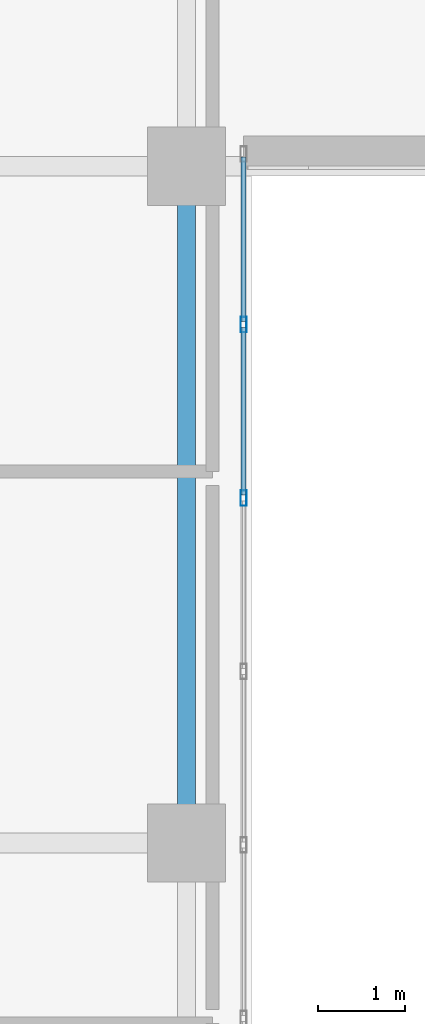
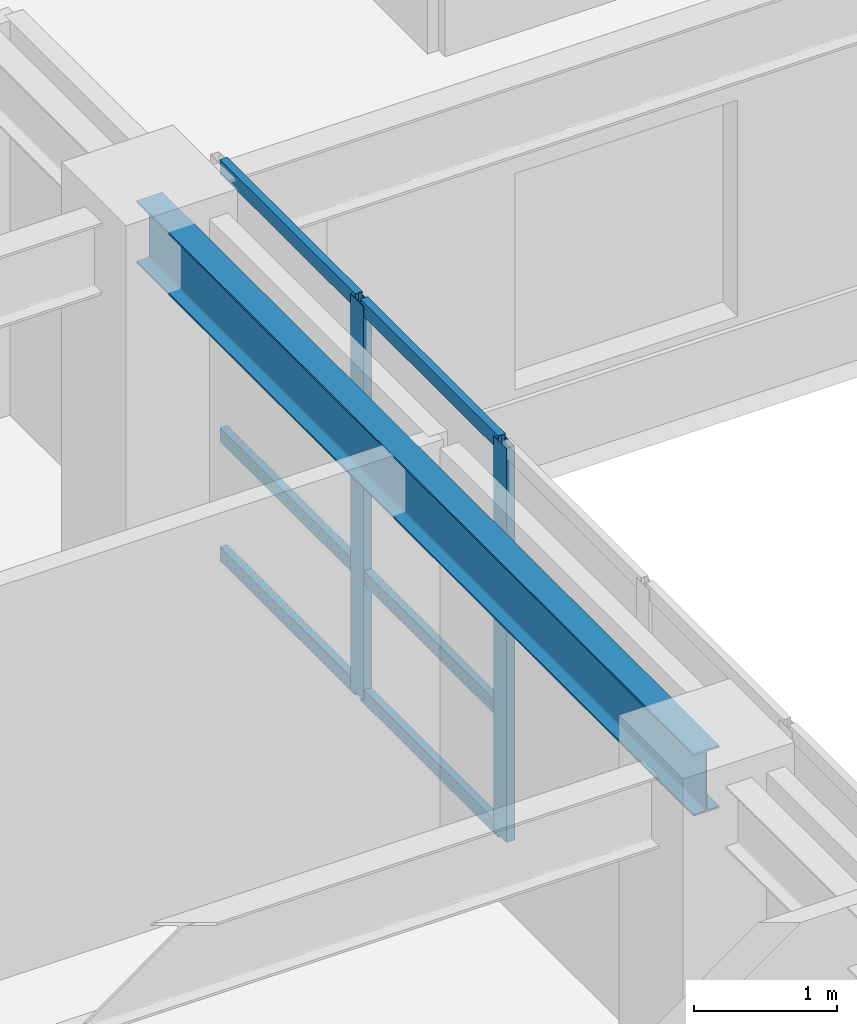
# One storey, part 7 of 37: 8 members, 1 beam, 1 element without a shape of its own.
"""IFC4 building model written with IfcOpenShell, lengths in metres."""

from ifc_helpers import new_model, si_unit, direction, frame, origin, origin_2d, place, context, subcontext, project, spatial, hollow_rectangle, i_section, extrude, source, transform, mapped, material, layer, layer_set, material_profile, profile_set, type_object, type_shapes, element, aggregate, save


model = new_model("IFC4")

# Units and contexts
model_context = context("Model", 3, precision=1e-05, world=origin(), true_north=direction((0.0, 1.0)))
body_context = subcontext(model_context, "Body", "Model", "MODEL_VIEW")
ifc_project = project(units=[si_unit("LENGTHUNIT", "METRE"), si_unit("AREAUNIT", "SQUARE_METRE"), si_unit("VOLUMEUNIT", "CUBIC_METRE"), si_unit("PLANEANGLEUNIT", "RADIAN"), si_unit("MASSUNIT", "GRAM", prefix="KILO")], contexts=[model_context])

# Site, building, storey
site_placement = place(None, origin())
site = spatial("IfcSite", under=ifc_project, at=site_placement, CompositionType="ELEMENT")
building_placement = place(site_placement, origin())
building = spatial("IfcBuilding", under=site, at=building_placement, Name="Tolvann Quenvar Hotel", CompositionType="ELEMENT")
storey_placement = place(building_placement, frame((0.0, 0.0, 104.449951171875)))
storey = spatial("IfcBuildingStorey", under=building, at=storey_placement, Name="L26", CompositionType="ELEMENT", Elevation=104.449951171875)

# Beam
ifc_material_1 = material(Name="Steel Grade 350", Category="steel")
ifc_material_profile_1 = material_profile(ifc_material_1, i_section(OverallWidth=0.208984375, OverallDepth=0.532958984375, WebThickness=0.01025390625, FlangeThickness=0.015625, FilletRadius=0.013916015625, at=origin_2d()), Name="530UB92")
ifc_profile_set_1 = profile_set([ifc_material_profile_1], Name="Steel Grade 350")
beam_type = type_object("IfcBeamType", Name="BM_GIRD_530UB92", PredefinedType="BEAM", material=ifc_profile_set_1)
shared_shape_1 = source(origin(), body_context, "Body", "SweptSolid", [
    extrude(i_section(OverallWidth=0.208984375, OverallDepth=0.532958984375, WebThickness=0.01025390625, FlangeThickness=0.015625, FilletRadius=0.013916015625, at=origin_2d()), origin(), (0.0, 0.0, 1.0), 7.800048828125),
])
type_shapes(beam_type, [shared_shape_1])
beam_placement = place(storey_placement, frame((22.050048828125, 8.199951171875, 3.103515625), z_axis=(0.0, 1.0, 0.0), x_axis=(-1.0, 0.0, 0.0)))
element("IfcBeam", 1, at=beam_placement, inside=storey, type_object=beam_type, Name="BM-L26-NS-E3-E4", PredefinedType="BEAM", context=body_context, shape_type="MappedRepresentation", body=[
    mapped(shared_shape_1, transform((0.0, 0.0, 0.0), x_axis=(1.0, 0.0, 0.0), y_axis=(0.0, 1.0, 0.0), z_axis=(0.0, 0.0, 1.0), scale=1.0)),
])

# Curtain wall, members
ifc_material_2 = material(Name="Thermally broken anodised architectural aluminium 6063-T6 and laminated low-E glass", Category="aluminium")
ifc_layer = layer(ifc_material_2, 0.179931640625)
ifc_layer_set = layer_set([ifc_layer], Name="Thermally broken anodised architectural aluminium 6063-T6 and laminated low-E glass")
curtain_wall_type = type_object("IfcCurtainWallType", Name="CW_SYS_SLOT_03", PredefinedType="USERDEFINED", material=ifc_layer_set)
curtain_wall_placement = place(storey_placement, origin())
curtain_wall = element("IfcCurtainWall", 2, at=curtain_wall_placement, inside=storey, type_object=curtain_wall_type, Name="Curtain Wall CW-SLOT-03 (CWR-L26-E05)", ObjectType="UNITISED CURTAIN WALL", PredefinedType="USERDEFINED")
ifc_material_3 = material(Name="Anodised architectural aluminium 6063-T6 framing", Category="aluminium")
ifc_material_profile_2 = material_profile(ifc_material_3, hollow_rectangle(XDim=0.070068359375, YDim=0.179931640625, WallThickness=0.00390625, at=origin_2d()), Name="180x70x4RHS")
ifc_profile_set_2 = profile_set([ifc_material_profile_2], Name="Anodised architectural aluminium 6063-T6 framing")
member_type_1 = type_object("IfcMemberType", Name="CW_MULL_180x70", PredefinedType="MULLION", material=ifc_profile_set_2)
shared_shape_2 = source(origin(), body_context, "Body", "SweptSolid", [
    extrude(hollow_rectangle(XDim=0.070068359375, YDim=0.179931640625, WallThickness=0.00390625, at=origin_2d()), origin(), (0.0, 0.0, 1.0), 3.3701171875),
])
type_shapes(member_type_1, [shared_shape_2])
member_1_placement = place(storey_placement, frame((22.7099609375, 12.175048828125, 0.0), z_axis=(0.0, 0.0, 1.0), x_axis=(-1.0, 0.0, 0.0)))
member_1 = element("IfcMember", 3, at=member_1_placement, type_object=member_type_1, Name="CW-SLOT-03 mullion 7", PredefinedType="MULLION", context=body_context, shape_type="MappedRepresentation", body=[
    mapped(shared_shape_2, transform((0.0, 0.0, 0.0), x_axis=(1.0, 0.0, 0.0), y_axis=(0.0, 1.0, 0.0), z_axis=(0.0, 0.0, 1.0), scale=1.0)),
])
member_2_placement = place(storey_placement, frame((22.7099609375, 14.175048828125, 0.0), z_axis=(0.0, 0.0, 1.0), x_axis=(-1.0, 0.0, 0.0)))
member_2 = element("IfcMember", 4, at=member_2_placement, type_object=member_type_1, Name="CW-SLOT-03 mullion 8", PredefinedType="MULLION", context=body_context, shape_type="MappedRepresentation", body=[
    mapped(shared_shape_2, transform((0.0, 0.0, 0.0), x_axis=(1.0, 0.0, 0.0), y_axis=(0.0, 1.0, 0.0), z_axis=(0.0, 0.0, 1.0), scale=1.0)),
])
ifc_material_profile_3 = material_profile(ifc_material_3, hollow_rectangle(XDim=0.06005859375, YDim=0.1201171875, WallThickness=0.00341796875, at=origin_2d()), Name="120x60x3.5RHS")
ifc_profile_set_3 = profile_set([ifc_material_profile_3], Name="Anodised architectural aluminium 6063-T6 framing")
member_type_2 = type_object("IfcMemberType", Name="CW_TRAN_120x60", PredefinedType="USERDEFINED", material=ifc_profile_set_3)
shared_shape_3 = source(origin(), body_context, "Body", "SweptSolid", [
    extrude(hollow_rectangle(XDim=0.06005859375, YDim=0.1201171875, WallThickness=0.00341796875, at=origin_2d()), origin(), (0.0, 0.0, 1.0), 1.929931640625),
])
member_3_placement = place(storey_placement, frame((22.7099609375, 12.2099609375, 0.030029296875), z_axis=(0.0, 1.0, 0.0), x_axis=(-1.0, 0.0, 0.0)))
member_3 = element("IfcMember", 5, at=member_3_placement, type_object=member_type_2, Name="CW-SLOT-03 transom 7.1", ObjectType="TRANSOM", PredefinedType="USERDEFINED", context=body_context, shape_type="MappedRepresentation", body=[
    mapped(shared_shape_3, transform((0.0, 0.0, 0.0), x_axis=(1.0, 0.0, 0.0), y_axis=(0.0, 1.0, 0.0), z_axis=(0.0, 0.0, 1.0), scale=1.0)),
])
member_4_placement = place(storey_placement, frame((22.7099609375, 12.2099609375, 1.050048828125), z_axis=(0.0, 1.0, 0.0), x_axis=(-1.0, 0.0, 0.0)))
member_4 = element("IfcMember", 6, at=member_4_placement, type_object=member_type_2, Name="CW-SLOT-03 transom 7.2", ObjectType="TRANSOM", PredefinedType="USERDEFINED", context=body_context, shape_type="MappedRepresentation", body=[
    mapped(shared_shape_3, transform((0.0, 0.0, 0.0), x_axis=(1.0, 0.0, 0.0), y_axis=(0.0, 1.0, 0.0), z_axis=(0.0, 0.0, 1.0), scale=1.0)),
])
member_5_placement = place(storey_placement, frame((22.7099609375, 12.2099609375, 3.340087890625), z_axis=(0.0, 1.0, 0.0), x_axis=(-1.0, 0.0, 0.0)))
member_5 = element("IfcMember", 7, at=member_5_placement, type_object=member_type_2, Name="CW-SLOT-03 transom 7.3", ObjectType="TRANSOM", PredefinedType="USERDEFINED", context=body_context, shape_type="MappedRepresentation", body=[
    mapped(shared_shape_3, transform((0.0, 0.0, 0.0), x_axis=(1.0, 0.0, 0.0), y_axis=(0.0, 1.0, 0.0), z_axis=(0.0, 0.0, 1.0), scale=1.0)),
])
shared_shape_4 = source(origin(), body_context, "Body", "SweptSolid", [
    extrude(hollow_rectangle(XDim=0.06005859375, YDim=0.1201171875, WallThickness=0.00341796875, at=origin_2d()), origin(), (0.0, 0.0, 1.0), 1.89501953125),
])
type_shapes(member_type_2, [shared_shape_3, shared_shape_4])
member_6_placement = place(storey_placement, frame((22.7099609375, 14.2099609375, 0.030029296875), z_axis=(0.0, 1.0, 0.0), x_axis=(-1.0, 0.0, 0.0)))
member_6 = element("IfcMember", 8, at=member_6_placement, type_object=member_type_2, Name="CW-SLOT-03 transom 8.1", ObjectType="TRANSOM", PredefinedType="USERDEFINED", context=body_context, shape_type="MappedRepresentation", body=[
    mapped(shared_shape_4, transform((0.0, 0.0, 0.0), x_axis=(1.0, 0.0, 0.0), y_axis=(0.0, 1.0, 0.0), z_axis=(0.0, 0.0, 1.0), scale=1.0)),
])
member_7_placement = place(storey_placement, frame((22.7099609375, 14.2099609375, 1.050048828125), z_axis=(0.0, 1.0, 0.0), x_axis=(-1.0, 0.0, 0.0)))
member_7 = element("IfcMember", 9, at=member_7_placement, type_object=member_type_2, Name="CW-SLOT-03 transom 8.2", ObjectType="TRANSOM", PredefinedType="USERDEFINED", context=body_context, shape_type="MappedRepresentation", body=[
    mapped(shared_shape_4, transform((0.0, 0.0, 0.0), x_axis=(1.0, 0.0, 0.0), y_axis=(0.0, 1.0, 0.0), z_axis=(0.0, 0.0, 1.0), scale=1.0)),
])
member_8_placement = place(storey_placement, frame((22.7099609375, 14.2099609375, 3.340087890625), z_axis=(0.0, 1.0, 0.0), x_axis=(-1.0, 0.0, 0.0)))
member_8 = element("IfcMember", 10, at=member_8_placement, type_object=member_type_2, Name="CW-SLOT-03 transom 8.3", ObjectType="TRANSOM", PredefinedType="USERDEFINED", context=body_context, shape_type="MappedRepresentation", body=[
    mapped(shared_shape_4, transform((0.0, 0.0, 0.0), x_axis=(1.0, 0.0, 0.0), y_axis=(0.0, 1.0, 0.0), z_axis=(0.0, 0.0, 1.0), scale=1.0)),
])
aggregate(curtain_wall, [member_1, member_2, member_3, member_4, member_5, member_6, member_7, member_8])

save(model, "model.ifc")
